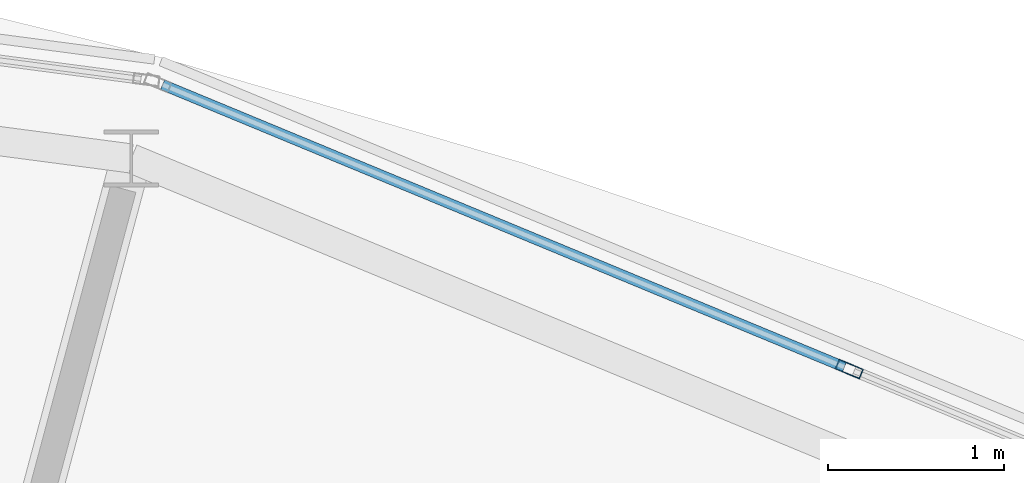
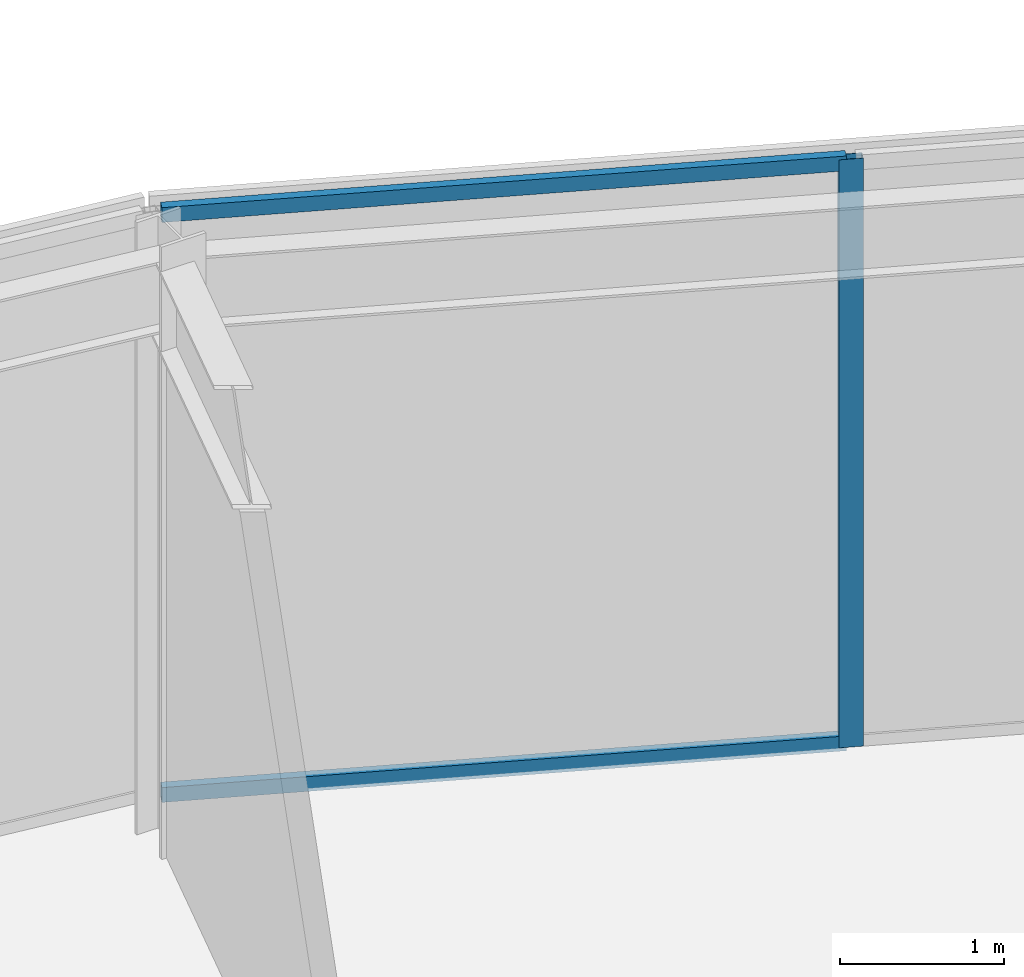
# One storey, part 79 of 133: 3 members, 1 element without a shape of its own.
"""IFC4 building model written with IfcOpenShell, lengths in metres."""

from ifc_helpers import new_model, si_unit, direction, frame, origin, origin_2d, place, context, subcontext, project, spatial, hollow_rectangle, extrude, material, material_profile, profile_set, type_object, element, aggregate, save


model = new_model("IFC4")

# Units and contexts
model_context = context("Model", 3, precision=1e-05, world=origin(), true_north=direction((0.0, 1.0)))
body_context = subcontext(model_context, "Body", "Model", "MODEL_VIEW")
ifc_project = project(units=[si_unit("LENGTHUNIT", "METRE"), si_unit("AREAUNIT", "SQUARE_METRE"), si_unit("VOLUMEUNIT", "CUBIC_METRE"), si_unit("PLANEANGLEUNIT", "RADIAN"), si_unit("MASSUNIT", "GRAM", prefix="KILO")], contexts=[model_context])

# Site, building, storey
site_placement = place(None, origin())
site = spatial("IfcSite", under=ifc_project, at=site_placement, CompositionType="ELEMENT")
building_placement = place(site_placement, origin())
building = spatial("IfcBuilding", under=site, at=building_placement, Name="Almandine Court Research Institute", CompositionType="ELEMENT")
storey_placement = place(building_placement, frame((0.0, 0.0, 9.800048828125)))
storey = spatial("IfcBuildingStorey", under=building, at=storey_placement, Name="L02", CompositionType="ELEMENT", Elevation=9.800048828125)

# Curtain wall, members
ifc_material_1 = material(Name="Unitised Curtain Wall Framing and Solar Glazing", Category="glass")
curtain_wall_type = type_object("IfcCurtainWallType", Name="CW-CWG-20", PredefinedType="USERDEFINED", material=ifc_material_1)
curtain_wall_placement = place(storey_placement, origin())
curtain_wall = element("IfcCurtainWall", 1, at=curtain_wall_placement, inside=storey, type_object=curtain_wall_type, Name="L02 Stacked-Ring Drum Outer Unitised Glazing 04", ObjectType="UNITISED GLAZING", PredefinedType="USERDEFINED")
ifc_material_2 = material(Name="Anodised Aluminium AW-6063-T6", Category="aluminium")
ifc_material_profile_1 = material_profile(ifc_material_2, hollow_rectangle(XDim=0.06005859375, YDim=0.14990234375, WallThickness=0.00390625, at=origin_2d()), Name="ALU RHS 60x150x4")
ifc_profile_set_1 = profile_set([ifc_material_profile_1], Name="Anodised Aluminium AW-6063-T6")
member_type_1 = type_object("IfcMemberType", Name="CWMul-60x150", PredefinedType="MULLION", material=ifc_profile_set_1)
member_1_placement = place(storey_placement, frame((103.7451171875, 102.034423828125, 0.0), z_axis=(0.0, 0.0, 1.0), x_axis=(0.382662689242, 0.923888124321, 0.0)))
member_1 = element("IfcMember", 2, at=member_1_placement, type_object=member_type_1, Name="CWG-20 mullion 2", PredefinedType="MULLION", context=body_context, shape_type="SweptSolid", body=[
    extrude(hollow_rectangle(XDim=0.06005859375, YDim=0.14990234375, WallThickness=0.00390625, at=origin_2d()), origin(), (0.0, 0.0, 1.0), 4.369873046875),
])
ifc_material_profile_2 = material_profile(ifc_material_2, hollow_rectangle(XDim=0.06005859375, YDim=0.110107421875, WallThickness=0.00390625, at=origin_2d()), Name="ALU RHS 60x110x4")
ifc_profile_set_2 = profile_set([ifc_material_profile_2], Name="Anodised Aluminium AW-6063-T6")
member_type_2 = type_object("IfcMemberType", Name="CWTrn-60x110", PredefinedType="NOTDEFINED", material=ifc_profile_set_2)
member_2_placement = place(storey_placement, frame((99.83447265625, 103.654052734375, 0.030029296875), z_axis=(0.923892933282, -0.382651078441, 0.0), x_axis=(0.382651078441, 0.923892933282, 0.0)))
member_2 = element("IfcMember", 3, at=member_2_placement, type_object=member_type_2, Name="CWG-20 transom 1.1", ObjectType="TRANSOM", PredefinedType="USERDEFINED", context=body_context, shape_type="SweptSolid", body=[
    extrude(hollow_rectangle(XDim=0.06005859375, YDim=0.110107421875, WallThickness=0.00390625, at=origin_2d()), origin(), (0.0, 0.0, 1.0), 4.20263671875),
])
member_3_placement = place(storey_placement, frame((99.83447265625, 103.654052734375, 4.33984375), z_axis=(0.923892933282, -0.382651078441, 0.0), x_axis=(0.382651078441, 0.923892933282, 0.0)))
member_3 = element("IfcMember", 4, at=member_3_placement, type_object=member_type_2, Name="CWG-20 transom 1.2", ObjectType="TRANSOM", PredefinedType="USERDEFINED", context=body_context, shape_type="SweptSolid", body=[
    extrude(hollow_rectangle(XDim=0.06005859375, YDim=0.110107421875, WallThickness=0.00390625, at=origin_2d()), origin(), (0.0, 0.0, 1.0), 4.20263671875),
])
aggregate(curtain_wall, [member_1, member_2, member_3])

save(model, "model.ifc")
